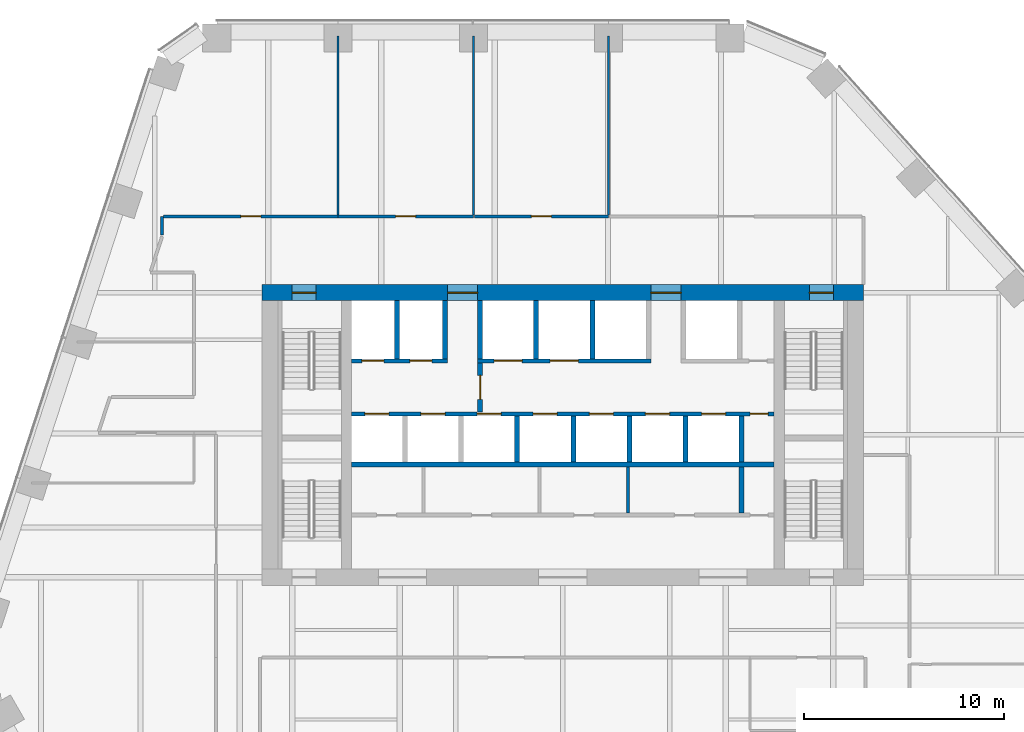
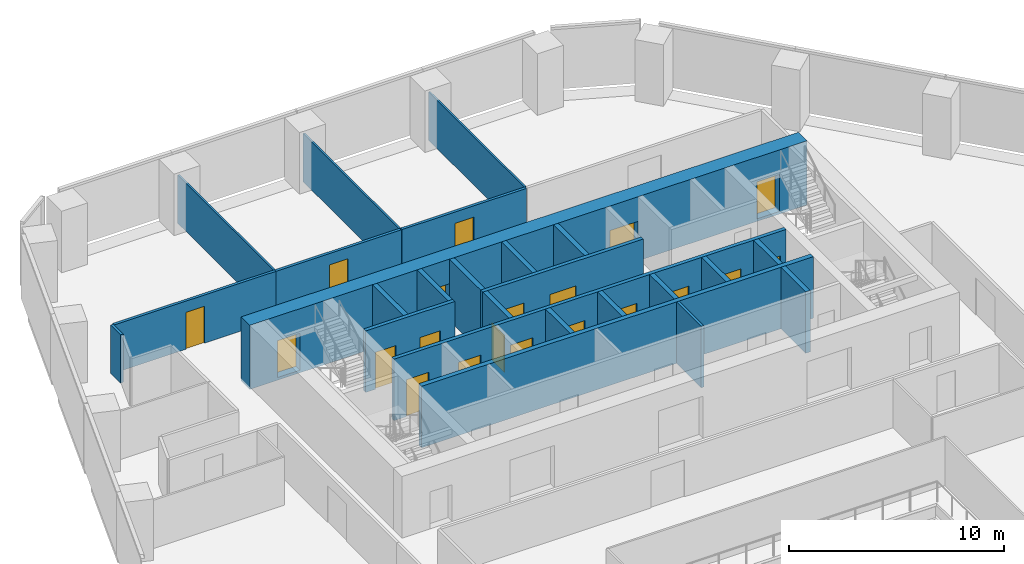
# One storey, part 12 of 16: 25 walls, 20 doors, 20 openings.
"""IFC4 building model written with IfcOpenShell, lengths in metres."""

from ifc_helpers import new_model, si_unit, direction, frame, frame_2d, origin, place, context, subcontext, project, spatial, rectangle, extrude, material, layer, layer_set, type_object, element, fill, save


model = new_model("IFC4")

# Units and contexts
model_context = context("Model", 3, precision=1e-05, world=origin(), true_north=direction((0.0, 1.0)))
body_context = subcontext(model_context, "Body", "Model", "MODEL_VIEW")
ifc_project = project(units=[si_unit("LENGTHUNIT", "METRE"), si_unit("AREAUNIT", "SQUARE_METRE"), si_unit("VOLUMEUNIT", "CUBIC_METRE"), si_unit("PLANEANGLEUNIT", "RADIAN"), si_unit("MASSUNIT", "GRAM", prefix="KILO")], contexts=[model_context])

# Site, building, storey
site_placement = place(None, origin())
site = spatial("IfcSite", under=ifc_project, at=site_placement, CompositionType="ELEMENT")
building_placement = place(site_placement, origin())
building = spatial("IfcBuilding", under=site, at=building_placement, Name="Isthmus Gate Tower", CompositionType="ELEMENT")
storey_placement = place(building_placement, frame((0.0, 0.0, 155.35009765625)))
storey = spatial("IfcBuildingStorey", under=building, at=storey_placement, Name="L38", CompositionType="ELEMENT", Elevation=155.35009765625)

# Wall, opening, door
ifc_material_1 = material(Name="Gypsum board on steel studs, fire-rated", Category="steel")
ifc_layer_1 = layer(ifc_material_1, 0.14990234375)
ifc_layer_set_1 = layer_set([ifc_layer_1], Name="CORRIDOR WALL 150 60 MIN")
wall_type_1 = type_object("IfcWallType", Name="CORRIDOR WALL 150 60 MIN", PredefinedType="PARTITIONING", material=ifc_layer_set_1)
wall_1_placement = place(storey_placement, frame((-11.2119140625, 18.39990234375, 0.0), z_axis=(0.0, 0.0, 1.0), x_axis=(1.0, 0.0, 0.0)))
wall_1 = element("IfcWall", 1, at=wall_1_placement, inside=storey, type_object=wall_type_1, Name="L38 Corridor Wall 150 60 Min", PredefinedType="PARTITIONING", context=body_context, shape_type="SweptSolid", body=[
    extrude(rectangle(XDim=6.75, YDim=0.14990234375, at=frame_2d((3.375, 0.0))), origin(), (0.0, 0.0, 1.0), 2.7412109375),
])
opening_1_placement = place(wall_1_placement, frame((2.875, 0.0, 0.0)))
opening_1 = element("IfcOpeningElement", 2, at=opening_1_placement, cuts=wall_1, Name="Opening DT-T3C-01", PredefinedType="OPENING", context=body_context, shape_type="SweptSolid", body=[
    extrude(rectangle(XDim=1.0, YDim=2.10009765625, at=frame_2d((0.5, 1.050048828125))), frame((0.0, 0.0849609375, 0.0), z_axis=(0.0, -1.0, 0.0), x_axis=(1.0, 0.0, 0.0)), (0.0, 0.0, 1.0), 0.169921875),
])
ifc_material_2 = material(Name="Solid core timber door leaf, fire-rated", Category="wood")
door_type_1 = type_object("IfcDoorType", Name="FIRE DOOR ROOM 1000 X 2100 60 MIN", OperationType="SINGLE_SWING_LEFT", PredefinedType="DOOR", material=ifc_material_2)
door_1_placement = place(opening_1_placement, origin())
door_1 = element("IfcDoor", 3, at=door_1_placement, inside=storey, type_object=door_type_1, Name="L38 room door", OperationType="SINGLE_SWING_RIGHT", OverallHeight=2.10009765625, OverallWidth=1.0, PredefinedType="DOOR", context=body_context, shape_type="SweptSolid", body=[
    extrude(rectangle(XDim=1.0, YDim=2.10009765625, at=frame_2d((0.5, 1.050048828125))), frame((0.0, 0.02490234375, 0.0), z_axis=(0.0, -1.0, 0.0), x_axis=(1.0, 0.0, 0.0)), (0.0, 0.0, 1.0), 0.050048828125),
])
fill(opening_1, door_1)

wall_2_placement = place(storey_placement, frame((-4.412109375, 18.39990234375, 0.0), z_axis=(0.0, 0.0, 1.0), x_axis=(1.0, 0.0, 0.0)))
wall_2 = element("IfcWall", 4, at=wall_2_placement, inside=storey, type_object=wall_type_1, Name="L38 Corridor Wall 150 60 Min", PredefinedType="PARTITIONING", context=body_context, shape_type="SweptSolid", body=[
    extrude(rectangle(XDim=6.7001953125, YDim=0.14990234375, at=frame_2d((3.35009765625, 0.0))), origin(), (0.0, 0.0, 1.0), 2.7412109375),
])
opening_2_placement = place(wall_2_placement, frame((2.85009765625, 0.0, 0.0)))
opening_2 = element("IfcOpeningElement", 5, at=opening_2_placement, cuts=wall_2, Name="Opening DT-T3C-02", PredefinedType="OPENING", context=body_context, shape_type="SweptSolid", body=[
    extrude(rectangle(XDim=1.0, YDim=2.10009765625, at=frame_2d((0.5, 1.050048828125))), frame((0.0, 0.0849609375, 0.0), z_axis=(0.0, -1.0, 0.0), x_axis=(1.0, 0.0, 0.0)), (0.0, 0.0, 1.0), 0.169921875),
])
door_2_placement = place(opening_2_placement, origin())
door_2 = element("IfcDoor", 6, at=door_2_placement, inside=storey, type_object=door_type_1, Name="L38 room door", OperationType="SINGLE_SWING_RIGHT", OverallHeight=2.10009765625, OverallWidth=1.0, PredefinedType="DOOR", context=body_context, shape_type="SweptSolid", body=[
    extrude(rectangle(XDim=1.0, YDim=2.10009765625, at=frame_2d((0.5, 1.050048828125))), frame((0.0, 0.02490234375, 0.0), z_axis=(0.0, -1.0, 0.0), x_axis=(1.0, 0.0, 0.0)), (0.0, 0.0, 1.0), 0.050048828125),
])
fill(opening_2, door_2)

# Wall
wall_3_placement = place(storey_placement, frame((-19.989990234375, 17.47509765625, 0.0), z_axis=(0.0, 0.0, 1.0), x_axis=(0.0, 1.0, 0.0)))
element("IfcWall", 7, at=wall_3_placement, inside=storey, type_object=wall_type_1, Name="L38 Corridor Wall 150 60 Min", PredefinedType="PARTITIONING", context=body_context, shape_type="SweptSolid", body=[
    extrude(rectangle(XDim=0.9248046875, YDim=0.14990234375, at=frame_2d((0.46240234375, 0.0))), origin(), (0.0, 0.0, 1.0), 2.7412109375),
])

# Wall, opening, door
wall_4_placement = place(storey_placement, frame((-19.9150390625, 18.39990234375, 0.0), z_axis=(0.0, 0.0, 1.0), x_axis=(1.0, 0.0, 0.0)))
wall_4 = element("IfcWall", 8, at=wall_4_placement, inside=storey, type_object=wall_type_1, Name="L38 Corridor Wall 150 60 Min", PredefinedType="PARTITIONING", context=body_context, shape_type="SweptSolid", body=[
    extrude(rectangle(XDim=8.703125, YDim=0.14990234375, at=frame_2d((4.3515625, 0.0))), origin(), (0.0, 0.0, 1.0), 2.7412109375),
])
opening_3_placement = place(wall_4_placement, frame((3.8515625, 0.0, 0.0)))
opening_3 = element("IfcOpeningElement", 9, at=opening_3_placement, cuts=wall_4, Name="Opening DT-T3C-03", PredefinedType="OPENING", context=body_context, shape_type="SweptSolid", body=[
    extrude(rectangle(XDim=1.0, YDim=2.10009765625, at=frame_2d((0.5, 1.050048828125))), frame((0.0, 0.0849609375, 0.0), z_axis=(0.0, -1.0, 0.0), x_axis=(1.0, 0.0, 0.0)), (0.0, 0.0, 1.0), 0.169921875),
])
door_3_placement = place(opening_3_placement, origin())
door_3 = element("IfcDoor", 10, at=door_3_placement, inside=storey, type_object=door_type_1, Name="L38 room door", OperationType="SINGLE_SWING_RIGHT", OverallHeight=2.10009765625, OverallWidth=1.0, PredefinedType="DOOR", context=body_context, shape_type="SweptSolid", body=[
    extrude(rectangle(XDim=1.0, YDim=2.10009765625, at=frame_2d((0.5, 1.050048828125))), frame((0.0, 0.02490234375, 0.0), z_axis=(0.0, -1.0, 0.0), x_axis=(1.0, 0.0, 0.0)), (0.0, 0.0, 1.0), 0.050048828125),
])
fill(opening_3, door_3)

ifc_material_3 = material(Name="Fire-rated blockwork masonry, 15 MPa", Category="masonry")
ifc_layer_2 = layer(ifc_material_3, 0.25)
ifc_layer_set_2 = layer_set([ifc_layer_2], Name="FIRE-FIGHTING LOBBY WALL 250 90 MIN")
wall_type_2 = type_object("IfcWallType", Name="FIRE-FIGHTING LOBBY WALL 250 90 MIN", PredefinedType="PARTITIONING", material=ifc_layer_set_2)
wall_5_placement = place(storey_placement, frame((-4.125, 8.64990234375, 0.0), z_axis=(0.0, 0.0, 1.0), x_axis=(0.0, 1.0, 0.0)))
wall_5 = element("IfcWall", 11, at=wall_5_placement, inside=storey, type_object=wall_type_2, Name="L38 FIRE-FIGHTING LOBBY WALL 250 90 MIN", PredefinedType="PARTITIONING", context=body_context, shape_type="SweptSolid", body=[
    extrude(rectangle(XDim=2.4501953125, YDim=0.25, at=frame_2d((1.22509765625, 0.0))), origin(), (0.0, 0.0, 1.0), 3.5),
])
opening_4_placement = place(wall_5_placement, frame((0.625, 0.0, 0.0)))
opening_4 = element("IfcOpeningElement", 12, at=opening_4_placement, cuts=wall_5, Name="Opening DC-A13-01", PredefinedType="OPENING", context=body_context, shape_type="SweptSolid", body=[
    extrude(rectangle(XDim=1.199951171875, YDim=2.10009765625, at=frame_2d((0.60009765625, 1.050048828125))), frame((0.0, 0.135009765625, 0.0), z_axis=(0.0, -1.0, 0.0), x_axis=(1.0, 0.0, 0.0)), (0.0, 0.0, 1.0), 0.27001953125),
])
ifc_material_4 = material(Name="Steel door leaf, fire-rated", Category="steel")
door_type_2 = type_object("IfcDoorType", Name="LOBBY FIRE DOOR 1200 X 2100 90 MIN", OperationType="DOUBLE_DOOR_SINGLE_SWING", PredefinedType="DOOR", material=ifc_material_4)
door_4_placement = place(opening_4_placement, origin())
door_4 = element("IfcDoor", 13, at=door_4_placement, inside=storey, type_object=door_type_2, Name="Fire-fighting Lobby Door", OperationType="SINGLE_SWING_LEFT", OverallHeight=2.10009765625, OverallWidth=1.199951171875, PredefinedType="DOOR", context=body_context, shape_type="SweptSolid", body=[
    extrude(rectangle(XDim=1.199951171875, YDim=2.10009765625, at=frame_2d((0.60009765625, 1.050048828125))), frame((0.0, 0.02490234375, 0.0), z_axis=(0.0, -1.0, 0.0), x_axis=(1.0, 0.0, 0.0)), (0.0, 0.0, 1.0), 0.050048828125),
])
fill(opening_4, door_4)

# Wall, openings, doors
ifc_material_5 = material(Name="Concrete f'c 60 MPa", Category="concrete")
ifc_layer_3 = layer(ifc_material_5, 0.800048828125)
ifc_layer_set_3 = layer_set([ifc_layer_3], Name="RC CORE WALL 800 F'C 60")
wall_type_3 = type_object("IfcWallType", Name="RC CORE WALL 800 F'C 60", PredefinedType="SOLIDWALL", material=ifc_layer_set_3)
wall_6_placement = place(storey_placement, frame((-15.0, 14.60009765625, -0.150146484375), z_axis=(0.0, 0.0, 1.0), x_axis=(1.0, 0.0, 0.0)))
wall_6 = element("IfcWall", 14, at=wall_6_placement, inside=storey, type_object=wall_type_3, Name="str-corewall-L38-N", PredefinedType="SOLIDWALL", context=body_context, shape_type="SweptSolid", body=[
    extrude(rectangle(XDim=30.0, YDim=0.800048828125, at=frame_2d((15.0, 0.0))), origin(), (0.0, 0.0, 1.0), 3.650146484375),
])
opening_5_placement = place(wall_6_placement, frame((9.25, 0.0, 0.14990234375)))
opening_5 = element("IfcOpeningElement", 15, at=opening_5_placement, cuts=wall_6, Name="Opening DC-A13-12", PredefinedType="OPENING", context=body_context, shape_type="SweptSolid", body=[
    extrude(rectangle(XDim=1.5, YDim=2.10009765625, at=frame_2d((0.75, 1.050048828125))), frame((0.0, 0.409912109375, 0.0), z_axis=(0.0, -1.0, 0.0), x_axis=(1.0, 0.0, 0.0)), (0.0, 0.0, 1.0), 0.820068359375),
])
opening_6_placement = place(wall_6_placement, frame((19.39990234375, 0.0, 0.14990234375)))
opening_6 = element("IfcOpeningElement", 16, at=opening_6_placement, cuts=wall_6, Name="Opening DC-A13-13", PredefinedType="OPENING", context=body_context, shape_type="SweptSolid", body=[
    extrude(rectangle(XDim=1.5, YDim=2.10009765625, at=frame_2d((0.75, 1.050048828125))), frame((0.0, 0.409912109375, 0.0), z_axis=(0.0, -1.0, 0.0), x_axis=(1.0, 0.0, 0.0)), (0.0, 0.0, 1.0), 0.820068359375),
])
opening_7_placement = place(wall_6_placement, frame((1.5, 0.0, 0.14990234375)))
opening_7 = element("IfcOpeningElement", 17, at=opening_7_placement, cuts=wall_6, Name="Opening DC-A13-14", PredefinedType="OPENING", context=body_context, shape_type="SweptSolid", body=[
    extrude(rectangle(XDim=1.199951171875, YDim=2.10009765625, at=frame_2d((0.60009765625, 1.050048828125))), frame((0.0, 0.409912109375, 0.0), z_axis=(0.0, -1.0, 0.0), x_axis=(1.0, 0.0, 0.0)), (0.0, 0.0, 1.0), 0.820068359375),
])
opening_8_placement = place(wall_6_placement, frame((27.300048828125, 0.0, 0.14990234375)))
opening_8 = element("IfcOpeningElement", 18, at=opening_8_placement, cuts=wall_6, Name="Opening DC-A13-15", PredefinedType="OPENING", context=body_context, shape_type="SweptSolid", body=[
    extrude(rectangle(XDim=1.199951171875, YDim=2.10009765625, at=frame_2d((0.60009765625, 1.050048828125))), frame((0.0, 0.409912109375, 0.0), z_axis=(0.0, -1.0, 0.0), x_axis=(1.0, 0.0, 0.0)), (0.0, 0.0, 1.0), 0.820068359375),
])
ifc_material_6 = material(Name="Steel door leaf, fire-rated", Category="steel")
door_type_3 = type_object("IfcDoorType", Name="LOBBY FIRE DOOR 1500 X 2100 60 MIN", OperationType="DOUBLE_DOOR_SINGLE_SWING", PredefinedType="DOOR", material=ifc_material_6)
door_5_placement = place(opening_6_placement, origin())
door_5 = element("IfcDoor", 19, at=door_5_placement, inside=storey, type_object=door_type_3, Name="Lobby Door PN-E", OperationType="DOUBLE_DOOR_SINGLE_SWING", OverallHeight=2.10009765625, OverallWidth=1.5, PredefinedType="DOOR", context=body_context, shape_type="SweptSolid", body=[
    extrude(rectangle(XDim=1.5, YDim=2.10009765625, at=frame_2d((0.75, 1.050048828125))), frame((0.0, 0.02490234375, 0.0), z_axis=(0.0, -1.0, 0.0), x_axis=(1.0, 0.0, 0.0)), (0.0, 0.0, 1.0), 0.050048828125),
])
fill(opening_6, door_5)
ifc_material_7 = material(Name="Steel door leaf, fire-rated", Category="steel")
door_type_4 = type_object("IfcDoorType", Name="LOBBY FIRE DOOR 1500 X 2100 90 MIN", OperationType="DOUBLE_DOOR_SINGLE_SWING", PredefinedType="DOOR", material=ifc_material_7)
door_6_placement = place(opening_5_placement, origin())
door_6 = element("IfcDoor", 20, at=door_6_placement, inside=storey, type_object=door_type_4, Name="Lobby Door PN-W", OperationType="DOUBLE_DOOR_SINGLE_SWING", OverallHeight=2.10009765625, OverallWidth=1.5, PredefinedType="DOOR", context=body_context, shape_type="SweptSolid", body=[
    extrude(rectangle(XDim=1.5, YDim=2.10009765625, at=frame_2d((0.75, 1.050048828125))), frame((0.0, 0.02490234375, 0.0), z_axis=(0.0, -1.0, 0.0), x_axis=(1.0, 0.0, 0.0)), (0.0, 0.0, 1.0), 0.050048828125),
])
fill(opening_5, door_6)
ifc_material_8 = material(Name="Steel door leaf, fire-rated", Category="steel")
door_type_5 = type_object("IfcDoorType", Name="STAIR FIRE DOOR 1200 X 2100 90 MIN", OperationType="SINGLE_SWING_LEFT", PredefinedType="DOOR", material=ifc_material_8)
door_7_placement = place(opening_7_placement, origin())
door_7 = element("IfcDoor", 21, at=door_7_placement, inside=storey, type_object=door_type_5, Name="Exit Stair 1 Door", OperationType="SINGLE_SWING_RIGHT", OverallHeight=2.10009765625, OverallWidth=1.199951171875, PredefinedType="DOOR", context=body_context, shape_type="SweptSolid", body=[
    extrude(rectangle(XDim=1.199951171875, YDim=2.10009765625, at=frame_2d((0.60009765625, 1.050048828125))), frame((0.0, 0.02490234375, 0.0), z_axis=(0.0, -1.0, 0.0), x_axis=(1.0, 0.0, 0.0)), (0.0, 0.0, 1.0), 0.050048828125),
])
fill(opening_7, door_7)
door_8_placement = place(opening_8_placement, origin())
door_8 = element("IfcDoor", 22, at=door_8_placement, inside=storey, type_object=door_type_5, Name="Exit Stair 2 Door", OperationType="SINGLE_SWING_LEFT", OverallHeight=2.10009765625, OverallWidth=1.199951171875, PredefinedType="DOOR", context=body_context, shape_type="SweptSolid", body=[
    extrude(rectangle(XDim=1.199951171875, YDim=2.10009765625, at=frame_2d((0.60009765625, 1.050048828125))), frame((0.0, 0.02490234375, 0.0), z_axis=(0.0, -1.0, 0.0), x_axis=(1.0, 0.0, 0.0)), (0.0, 0.0, 1.0), 0.050048828125),
])
fill(opening_8, door_8)

# Walls
ifc_material_9 = material(Name="Gypsum board on steel studs, fire-rated", Category="steel")
ifc_layer_4 = layer(ifc_material_9, 0.10009765625)
ifc_layer_set_4 = layer_set([ifc_layer_4], Name="ROOM PARTITION 100 30 MIN")
wall_type_4 = type_object("IfcWallType", Name="ROOM PARTITION 100 30 MIN", PredefinedType="PARTITIONING", material=ifc_layer_set_4)
for number, where, z_axis, x_axis, name in (
    (23, (-4.4619140625, 18.47509765625, 0.0), (0.0, 0.0, 1.0), (0.0, 1.0, 0.0), "L38 Room Partition 100 30 Min"),
    (24, (2.2880859375, 18.47509765625, 0.0), (0.0, 0.0, 1.0), (0.0, 1.0, 0.0), "L38 Room Partition 100 30 Min"),
    (25, (-11.2119140625, 18.47509765625, 0.0), (0.0, 0.0, 1.0), (0.0, 1.0, 0.0), "L38 Room Partition 100 30 Min"),
):
    element("IfcWall", number, at=place(storey_placement, frame(where, z_axis=z_axis, x_axis=x_axis)), inside=storey, type_object=wall_type_4, Name=name, PredefinedType="PARTITIONING", context=body_context, shape_type="SweptSolid", body=[
        extrude(rectangle(XDim=8.9248046875, YDim=0.10009765625, at=frame_2d((4.46240234375, 0.0))), origin(), (0.0, 0.0, 1.0), 2.7412109375),
    ])
ifc_material_10 = material(Name="Gypsum board on steel studs, fire-rated", Category="steel")
ifc_layer_5 = layer(ifc_material_10, 0.14990234375)
ifc_layer_set_5 = layer_set([ifc_layer_5], Name="ROOM PARTITION 150 60 MIN")
wall_type_5 = type_object("IfcWallType", Name="ROOM PARTITION 150 60 MIN", PredefinedType="PARTITIONING", material=ifc_layer_set_5)
wall_7_placement = place(storey_placement, frame((3.25, 3.60009765625, 0.0), z_axis=(0.0, 0.0, 1.0), x_axis=(0.0, 1.0, 0.0)))
element("IfcWall", 26, at=wall_7_placement, inside=storey, type_object=wall_type_5, Name="L38 ROOM PARTITION 150 60 MIN", PredefinedType="PARTITIONING", context=body_context, shape_type="SweptSolid", body=[
    extrude(rectangle(XDim=2.2998046875, YDim=0.14990234375, at=frame_2d((1.14990234375, 0.0))), origin(), (0.0, 0.0, 1.0), 3.5),
])

# Wall, openings, doors
ifc_material_11 = material(Name="Fire-rated blockwork masonry, 15 MPa", Category="masonry")
ifc_layer_6 = layer(ifc_material_11, 0.199951171875)
ifc_layer_set_6 = layer_set([ifc_layer_6], Name="SHAFT FRONT WALL 200 120 MIN")
wall_type_6 = type_object("IfcWallType", Name="SHAFT FRONT WALL 200 120 MIN", PredefinedType="PARTITIONING", material=ifc_layer_set_6)
wall_8_placement = place(storey_placement, frame((-10.550048828125, 8.550048828125, 0.0), z_axis=(0.0, 0.0, 1.0), x_axis=(1.0, 0.0, 0.0)))
wall_8 = element("IfcWall", 27, at=wall_8_placement, inside=storey, type_object=wall_type_6, Name="L38 SHAFT FRONT WALL 200 120 MIN", PredefinedType="PARTITIONING", context=body_context, shape_type="SweptSolid", body=[
    extrude(rectangle(XDim=21.10009765625, YDim=0.199951171875, at=frame_2d((10.550048828125, 0.0))), origin(), (0.0, 0.0, 1.0), 3.5),
])
opening_9_placement = place(wall_8_placement, frame((0.675048828125, 0.0, 0.0)))
opening_9 = element("IfcOpeningElement", 28, at=opening_9_placement, cuts=wall_8, Name="Opening LD-LB1", PredefinedType="OPENING", context=body_context, shape_type="SweptSolid", body=[
    extrude(rectangle(XDim=1.199951171875, YDim=2.10009765625, at=frame_2d((0.60009765625, 1.050048828125))), frame((0.0, 0.10986328125, 0.0), z_axis=(0.0, -1.0, 0.0), x_axis=(1.0, 0.0, 0.0)), (0.0, 0.0, 1.0), 0.219970703125),
])
opening_10_placement = place(wall_8_placement, frame((3.47509765625, 0.0, 0.0)))
opening_10 = element("IfcOpeningElement", 29, at=opening_10_placement, cuts=wall_8, Name="Opening LD-LB2", PredefinedType="OPENING", context=body_context, shape_type="SweptSolid", body=[
    extrude(rectangle(XDim=1.199951171875, YDim=2.10009765625, at=frame_2d((0.60009765625, 1.050048828125))), frame((0.0, 0.10986328125, 0.0), z_axis=(0.0, -1.0, 0.0), x_axis=(1.0, 0.0, 0.0)), (0.0, 0.0, 1.0), 0.219970703125),
])
opening_11_placement = place(wall_8_placement, frame((6.27490234375, 0.0, 0.0)))
opening_11 = element("IfcOpeningElement", 30, at=opening_11_placement, cuts=wall_8, Name="Opening LD-LB3", PredefinedType="OPENING", context=body_context, shape_type="SweptSolid", body=[
    extrude(rectangle(XDim=1.199951171875, YDim=2.10009765625, at=frame_2d((0.60009765625, 1.050048828125))), frame((0.0, 0.10986328125, 0.0), z_axis=(0.0, -1.0, 0.0), x_axis=(1.0, 0.0, 0.0)), (0.0, 0.0, 1.0), 0.219970703125),
])
opening_12_placement = place(wall_8_placement, frame((9.074951171875, 0.0, 0.0)))
opening_12 = element("IfcOpeningElement", 31, at=opening_12_placement, cuts=wall_8, Name="Opening LD-LB4", PredefinedType="OPENING", context=body_context, shape_type="SweptSolid", body=[
    extrude(rectangle(XDim=1.199951171875, YDim=2.10009765625, at=frame_2d((0.60009765625, 1.050048828125))), frame((0.0, 0.10986328125, 0.0), z_axis=(0.0, -1.0, 0.0), x_axis=(1.0, 0.0, 0.0)), (0.0, 0.0, 1.0), 0.219970703125),
])
opening_13_placement = place(wall_8_placement, frame((11.875, 0.0, 0.0)))
opening_13 = element("IfcOpeningElement", 32, at=opening_13_placement, cuts=wall_8, Name="Opening LD-LB5", PredefinedType="OPENING", context=body_context, shape_type="SweptSolid", body=[
    extrude(rectangle(XDim=1.199951171875, YDim=2.10009765625, at=frame_2d((0.60009765625, 1.050048828125))), frame((0.0, 0.10986328125, 0.0), z_axis=(0.0, -1.0, 0.0), x_axis=(1.0, 0.0, 0.0)), (0.0, 0.0, 1.0), 0.219970703125),
])
opening_14_placement = place(wall_8_placement, frame((14.675048828125, 0.0, 0.0)))
opening_14 = element("IfcOpeningElement", 33, at=opening_14_placement, cuts=wall_8, Name="Opening LD-LB6", PredefinedType="OPENING", context=body_context, shape_type="SweptSolid", body=[
    extrude(rectangle(XDim=1.199951171875, YDim=2.10009765625, at=frame_2d((0.60009765625, 1.050048828125))), frame((0.0, 0.10986328125, 0.0), z_axis=(0.0, -1.0, 0.0), x_axis=(1.0, 0.0, 0.0)), (0.0, 0.0, 1.0), 0.219970703125),
])
opening_15_placement = place(wall_8_placement, frame((17.47509765625, 0.0, 0.0)))
opening_15 = element("IfcOpeningElement", 34, at=opening_15_placement, cuts=wall_8, Name="Opening LD-LB7", PredefinedType="OPENING", context=body_context, shape_type="SweptSolid", body=[
    extrude(rectangle(XDim=1.199951171875, YDim=2.10009765625, at=frame_2d((0.60009765625, 1.050048828125))), frame((0.0, 0.10986328125, 0.0), z_axis=(0.0, -1.0, 0.0), x_axis=(1.0, 0.0, 0.0)), (0.0, 0.0, 1.0), 0.219970703125),
])
opening_16_placement = place(wall_8_placement, frame((19.89990234375, 0.0, 0.0)))
opening_16 = element("IfcOpeningElement", 35, at=opening_16_placement, cuts=wall_8, Name="Opening DC-A13-07", PredefinedType="OPENING", context=body_context, shape_type="SweptSolid", body=[
    extrude(rectangle(XDim=0.89990234375, YDim=2.10009765625, at=frame_2d((0.449951171875, 1.050048828125))), frame((0.0, 0.10986328125, 0.0), z_axis=(0.0, -1.0, 0.0), x_axis=(1.0, 0.0, 0.0)), (0.0, 0.0, 1.0), 0.219970703125),
])
ifc_material_12 = material(Name="Stainless steel sliding leaf", Category="steel")
door_type_6 = type_object("IfcDoorType", Name="LIFT LANDING FIRE DOOR 1200 X 2100 90 MIN", OperationType="DOUBLE_DOOR_SLIDING", PredefinedType="DOOR", material=ifc_material_12)
door_9_placement = place(opening_9_placement, origin())
door_9 = element("IfcDoor", 36, at=door_9_placement, inside=storey, type_object=door_type_6, Name="Lift Landing Door LB1", OperationType="DOUBLE_DOOR_SLIDING", OverallHeight=2.10009765625, OverallWidth=1.199951171875, PredefinedType="DOOR", context=body_context, shape_type="SweptSolid", body=[
    extrude(rectangle(XDim=1.199951171875, YDim=2.10009765625, at=frame_2d((0.60009765625, 1.050048828125))), frame((0.0, 0.02490234375, 0.0), z_axis=(0.0, -1.0, 0.0), x_axis=(1.0, 0.0, 0.0)), (0.0, 0.0, 1.0), 0.050048828125),
])
fill(opening_9, door_9)
door_10_placement = place(opening_10_placement, origin())
door_10 = element("IfcDoor", 37, at=door_10_placement, inside=storey, type_object=door_type_6, Name="Lift Landing Door LB2", OperationType="DOUBLE_DOOR_SLIDING", OverallHeight=2.10009765625, OverallWidth=1.199951171875, PredefinedType="DOOR", context=body_context, shape_type="SweptSolid", body=[
    extrude(rectangle(XDim=1.199951171875, YDim=2.10009765625, at=frame_2d((0.60009765625, 1.050048828125))), frame((0.0, 0.02490234375, 0.0), z_axis=(0.0, -1.0, 0.0), x_axis=(1.0, 0.0, 0.0)), (0.0, 0.0, 1.0), 0.050048828125),
])
fill(opening_10, door_10)
door_11_placement = place(opening_11_placement, origin())
door_11 = element("IfcDoor", 38, at=door_11_placement, inside=storey, type_object=door_type_6, Name="Lift Landing Door LB3", OperationType="DOUBLE_DOOR_SLIDING", OverallHeight=2.10009765625, OverallWidth=1.199951171875, PredefinedType="DOOR", context=body_context, shape_type="SweptSolid", body=[
    extrude(rectangle(XDim=1.199951171875, YDim=2.10009765625, at=frame_2d((0.60009765625, 1.050048828125))), frame((0.0, 0.02490234375, 0.0), z_axis=(0.0, -1.0, 0.0), x_axis=(1.0, 0.0, 0.0)), (0.0, 0.0, 1.0), 0.050048828125),
])
fill(opening_11, door_11)
door_12_placement = place(opening_12_placement, origin())
door_12 = element("IfcDoor", 39, at=door_12_placement, inside=storey, type_object=door_type_6, Name="Lift Landing Door LB4", OperationType="DOUBLE_DOOR_SLIDING", OverallHeight=2.10009765625, OverallWidth=1.199951171875, PredefinedType="DOOR", context=body_context, shape_type="SweptSolid", body=[
    extrude(rectangle(XDim=1.199951171875, YDim=2.10009765625, at=frame_2d((0.60009765625, 1.050048828125))), frame((0.0, 0.02490234375, 0.0), z_axis=(0.0, -1.0, 0.0), x_axis=(1.0, 0.0, 0.0)), (0.0, 0.0, 1.0), 0.050048828125),
])
fill(opening_12, door_12)
door_13_placement = place(opening_13_placement, origin())
door_13 = element("IfcDoor", 40, at=door_13_placement, inside=storey, type_object=door_type_6, Name="Lift Landing Door LB5", OperationType="DOUBLE_DOOR_SLIDING", OverallHeight=2.10009765625, OverallWidth=1.199951171875, PredefinedType="DOOR", context=body_context, shape_type="SweptSolid", body=[
    extrude(rectangle(XDim=1.199951171875, YDim=2.10009765625, at=frame_2d((0.60009765625, 1.050048828125))), frame((0.0, 0.02490234375, 0.0), z_axis=(0.0, -1.0, 0.0), x_axis=(1.0, 0.0, 0.0)), (0.0, 0.0, 1.0), 0.050048828125),
])
fill(opening_13, door_13)
door_14_placement = place(opening_14_placement, origin())
door_14 = element("IfcDoor", 41, at=door_14_placement, inside=storey, type_object=door_type_6, Name="Lift Landing Door LB6", OperationType="DOUBLE_DOOR_SLIDING", OverallHeight=2.10009765625, OverallWidth=1.199951171875, PredefinedType="DOOR", context=body_context, shape_type="SweptSolid", body=[
    extrude(rectangle(XDim=1.199951171875, YDim=2.10009765625, at=frame_2d((0.60009765625, 1.050048828125))), frame((0.0, 0.02490234375, 0.0), z_axis=(0.0, -1.0, 0.0), x_axis=(1.0, 0.0, 0.0)), (0.0, 0.0, 1.0), 0.050048828125),
])
fill(opening_14, door_14)
door_15_placement = place(opening_15_placement, origin())
door_15 = element("IfcDoor", 42, at=door_15_placement, inside=storey, type_object=door_type_6, Name="Lift Landing Door LB7", OperationType="DOUBLE_DOOR_SLIDING", OverallHeight=2.10009765625, OverallWidth=1.199951171875, PredefinedType="DOOR", context=body_context, shape_type="SweptSolid", body=[
    extrude(rectangle(XDim=1.199951171875, YDim=2.10009765625, at=frame_2d((0.60009765625, 1.050048828125))), frame((0.0, 0.02490234375, 0.0), z_axis=(0.0, -1.0, 0.0), x_axis=(1.0, 0.0, 0.0)), (0.0, 0.0, 1.0), 0.050048828125),
])
fill(opening_15, door_15)
ifc_material_13 = material(Name="Steel door leaf, fire-rated", Category="steel")
door_type_7 = type_object("IfcDoorType", Name="RISER FIRE DOOR 900 X 2100 90 MIN", OperationType="SINGLE_SWING_LEFT", PredefinedType="DOOR", material=ifc_material_13)
door_16_placement = place(opening_16_placement, origin())
door_16 = element("IfcDoor", 43, at=door_16_placement, inside=storey, type_object=door_type_7, Name="Riser Door", OperationType="SINGLE_SWING_RIGHT", OverallHeight=2.10009765625, OverallWidth=0.89990234375, PredefinedType="DOOR", context=body_context, shape_type="SweptSolid", body=[
    extrude(rectangle(XDim=0.89990234375, YDim=2.10009765625, at=frame_2d((0.449951171875, 1.050048828125))), frame((0.0, 0.02490234375, 0.0), z_axis=(0.0, -1.0, 0.0), x_axis=(1.0, 0.0, 0.0)), (0.0, 0.0, 1.0), 0.050048828125),
])
fill(opening_16, door_16)

wall_9_placement = place(storey_placement, frame((-10.550048828125, 11.199951171875, 0.0), z_axis=(0.0, 0.0, 1.0), x_axis=(1.0, 0.0, 0.0)))
wall_9 = element("IfcWall", 44, at=wall_9_placement, inside=storey, type_object=wall_type_6, Name="L38 SHAFT FRONT WALL 200 120 MIN", PredefinedType="PARTITIONING", context=body_context, shape_type="SweptSolid", body=[
    extrude(rectangle(XDim=4.800048828125, YDim=0.199951171875, at=frame_2d((2.39990234375, 0.0))), origin(), (0.0, 0.0, 1.0), 3.5),
])
opening_17_placement = place(wall_9_placement, frame((0.52490234375, 0.0, 0.0)))
opening_17 = element("IfcOpeningElement", 45, at=opening_17_placement, cuts=wall_9, Name="Opening LD-LF1", PredefinedType="OPENING", context=body_context, shape_type="SweptSolid", body=[
    extrude(rectangle(XDim=1.10009765625, YDim=2.10009765625, at=frame_2d((0.550048828125, 1.050048828125))), frame((0.0, 0.10986328125, 0.0), z_axis=(0.0, -1.0, 0.0), x_axis=(1.0, 0.0, 0.0)), (0.0, 0.0, 1.0), 0.219970703125),
])
opening_18_placement = place(wall_9_placement, frame((2.925048828125, 0.0, 0.0)))
opening_18 = element("IfcOpeningElement", 46, at=opening_18_placement, cuts=wall_9, Name="Opening LD-LF2", PredefinedType="OPENING", context=body_context, shape_type="SweptSolid", body=[
    extrude(rectangle(XDim=1.10009765625, YDim=2.10009765625, at=frame_2d((0.550048828125, 1.050048828125))), frame((0.0, 0.10986328125, 0.0), z_axis=(0.0, -1.0, 0.0), x_axis=(1.0, 0.0, 0.0)), (0.0, 0.0, 1.0), 0.219970703125),
])
ifc_material_14 = material(Name="Stainless steel sliding leaf", Category="steel")
door_type_8 = type_object("IfcDoorType", Name="LIFT LANDING FIRE DOOR 1100 X 2100 90 MIN", OperationType="DOUBLE_DOOR_SLIDING", PredefinedType="DOOR", material=ifc_material_14)
door_17_placement = place(opening_17_placement, origin())
door_17 = element("IfcDoor", 47, at=door_17_placement, inside=storey, type_object=door_type_8, Name="Lift Landing Door LF1", OperationType="DOUBLE_DOOR_SLIDING", OverallHeight=2.10009765625, OverallWidth=1.10009765625, PredefinedType="DOOR", context=body_context, shape_type="SweptSolid", body=[
    extrude(rectangle(XDim=1.10009765625, YDim=2.10009765625, at=frame_2d((0.550048828125, 1.050048828125))), frame((0.0, 0.02490234375, 0.0), z_axis=(0.0, -1.0, 0.0), x_axis=(1.0, 0.0, 0.0)), (0.0, 0.0, 1.0), 0.050048828125),
])
fill(opening_17, door_17)
door_18_placement = place(opening_18_placement, origin())
door_18 = element("IfcDoor", 48, at=door_18_placement, inside=storey, type_object=door_type_8, Name="Lift Landing Door LF2", OperationType="DOUBLE_DOOR_SLIDING", OverallHeight=2.10009765625, OverallWidth=1.10009765625, PredefinedType="DOOR", context=body_context, shape_type="SweptSolid", body=[
    extrude(rectangle(XDim=1.10009765625, YDim=2.10009765625, at=frame_2d((0.550048828125, 1.050048828125))), frame((0.0, 0.02490234375, 0.0), z_axis=(0.0, -1.0, 0.0), x_axis=(1.0, 0.0, 0.0)), (0.0, 0.0, 1.0), 0.050048828125),
])
fill(opening_18, door_18)

wall_10_placement = place(storey_placement, frame((-4.25, 11.199951171875, 0.0), z_axis=(0.0, 0.0, 1.0), x_axis=(1.0, 0.0, 0.0)))
wall_10 = element("IfcWall", 49, at=wall_10_placement, inside=storey, type_object=wall_type_6, Name="L38 SHAFT FRONT WALL 200 120 MIN", PredefinedType="PARTITIONING", context=body_context, shape_type="SweptSolid", body=[
    extrude(rectangle(XDim=8.64990234375, YDim=0.199951171875, at=frame_2d((4.324951171875, 0.0))), origin(), (0.0, 0.0, 1.0), 3.5),
])
opening_19_placement = place(wall_10_placement, frame((0.824951171875, 0.0, 0.0)))
opening_19 = element("IfcOpeningElement", 50, at=opening_19_placement, cuts=wall_10, Name="Opening LD-LV1", PredefinedType="OPENING", context=body_context, shape_type="SweptSolid", body=[
    extrude(rectangle(XDim=1.39990234375, YDim=2.10009765625, at=frame_2d((0.699951171875, 1.050048828125))), frame((0.0, 0.10986328125, 0.0), z_axis=(0.0, -1.0, 0.0), x_axis=(1.0, 0.0, 0.0)), (0.0, 0.0, 1.0), 0.219970703125),
])
opening_20_placement = place(wall_10_placement, frame((3.625, 0.0, 0.0)))
opening_20 = element("IfcOpeningElement", 51, at=opening_20_placement, cuts=wall_10, Name="Opening LD-LV2", PredefinedType="OPENING", context=body_context, shape_type="SweptSolid", body=[
    extrude(rectangle(XDim=1.39990234375, YDim=2.10009765625, at=frame_2d((0.699951171875, 1.050048828125))), frame((0.0, 0.10986328125, 0.0), z_axis=(0.0, -1.0, 0.0), x_axis=(1.0, 0.0, 0.0)), (0.0, 0.0, 1.0), 0.219970703125),
])
ifc_material_15 = material(Name="Stainless steel sliding leaf", Category="steel")
door_type_9 = type_object("IfcDoorType", Name="LIFT LANDING FIRE DOOR 1400 X 2100 90 MIN", OperationType="DOUBLE_DOOR_SLIDING", PredefinedType="DOOR", material=ifc_material_15)
door_19_placement = place(opening_19_placement, origin())
door_19 = element("IfcDoor", 52, at=door_19_placement, inside=storey, type_object=door_type_9, Name="Lift Landing Door LV1", OperationType="DOUBLE_DOOR_SLIDING", OverallHeight=2.10009765625, OverallWidth=1.39990234375, PredefinedType="DOOR", context=body_context, shape_type="SweptSolid", body=[
    extrude(rectangle(XDim=1.39990234375, YDim=2.10009765625, at=frame_2d((0.699951171875, 1.050048828125))), frame((0.0, 0.02490234375, 0.0), z_axis=(0.0, -1.0, 0.0), x_axis=(1.0, 0.0, 0.0)), (0.0, 0.0, 1.0), 0.050048828125),
])
fill(opening_19, door_19)
door_20_placement = place(opening_20_placement, origin())
door_20 = element("IfcDoor", 53, at=door_20_placement, inside=storey, type_object=door_type_9, Name="Lift Landing Door LV2", OperationType="DOUBLE_DOOR_SLIDING", OverallHeight=2.10009765625, OverallWidth=1.39990234375, PredefinedType="DOOR", context=body_context, shape_type="SweptSolid", body=[
    extrude(rectangle(XDim=1.39990234375, YDim=2.10009765625, at=frame_2d((0.699951171875, 1.050048828125))), frame((0.0, 0.02490234375, 0.0), z_axis=(0.0, -1.0, 0.0), x_axis=(1.0, 0.0, 0.0)), (0.0, 0.0, 1.0), 0.050048828125),
])
fill(opening_20, door_20)

# Walls
ifc_material_16 = material(Name="Fire-rated blockwork masonry, 15 MPa", Category="masonry")
ifc_layer_7 = layer(ifc_material_16, 0.25)
ifc_layer_set_7 = layer_set([ifc_layer_7], Name="SHAFT WALL 250 120 MIN")
wall_type_7 = type_object("IfcWallType", Name="SHAFT WALL 250 120 MIN", PredefinedType="PARTITIONING", material=ifc_layer_set_7)
wall_11_placement = place(storey_placement, frame((-10.550048828125, 6.02490234375, 0.0), z_axis=(0.0, 0.0, 1.0), x_axis=(1.0, 0.0, 0.0)))
element("IfcWall", 54, at=wall_11_placement, inside=storey, type_object=wall_type_7, Name="L38 SHAFT WALL 250 120 MIN", PredefinedType="PARTITIONING", context=body_context, shape_type="SweptSolid", body=[
    extrude(rectangle(XDim=21.10009765625, YDim=0.25, at=frame_2d((10.550048828125, 0.0))), origin(), (0.0, 0.0, 1.0), 3.5),
])
wall_12_placement = place(storey_placement, frame((8.925048828125, 3.60009765625, 0.0), z_axis=(0.0, 0.0, 1.0), x_axis=(0.0, 1.0, 0.0)))
element("IfcWall", 55, at=wall_12_placement, inside=storey, type_object=wall_type_7, Name="L38 SHAFT WALL 250 120 MIN", PredefinedType="PARTITIONING", context=body_context, shape_type="SweptSolid", body=[
    extrude(rectangle(XDim=2.2998046875, YDim=0.25, at=frame_2d((1.14990234375, 0.0))), origin(), (0.0, 0.0, 1.0), 3.5),
])
for number, where, z_axis, x_axis, name in (
    (56, (-2.27490234375, 6.14990234375, 0.0), (0.0, 0.0, 1.0), (0.0, 1.0, 0.0), "L38 SHAFT WALL 250 120 MIN"),
    (57, (0.52490234375, 6.14990234375, 0.0), (0.0, 0.0, 1.0), (0.0, 1.0, 0.0), "L38 SHAFT WALL 250 120 MIN"),
    (58, (3.324951171875, 6.14990234375, 0.0), (0.0, 0.0, 1.0), (0.0, 1.0, 0.0), "L38 SHAFT WALL 250 120 MIN"),
    (59, (6.125, 6.14990234375, 0.0), (0.0, 0.0, 1.0), (0.0, 1.0, 0.0), "L38 SHAFT WALL 250 120 MIN"),
    (60, (8.925048828125, 6.14990234375, 0.0), (0.0, 0.0, 1.0), (0.0, 1.0, 0.0), "L38 SHAFT WALL 250 120 MIN"),
):
    element("IfcWall", number, at=place(storey_placement, frame(where, z_axis=z_axis, x_axis=x_axis)), inside=storey, type_object=wall_type_7, Name=name, PredefinedType="PARTITIONING", context=body_context, shape_type="SweptSolid", body=[
        extrude(rectangle(XDim=2.300048828125, YDim=0.25, at=frame_2d((1.14990234375, 0.0))), origin(), (0.0, 0.0, 1.0), 3.5),
    ])
for number, where, z_axis, x_axis, name in (
    (61, (-8.27490234375, 11.300048828125, 0.0), (0.0, 0.0, 1.0), (0.0, 1.0, 0.0), "L38 SHAFT WALL 250 120 MIN"),
    (62, (-5.875, 11.300048828125, 0.0), (0.0, 0.0, 1.0), (0.0, 1.0, 0.0), "L38 SHAFT WALL 250 120 MIN"),
    (63, (-4.125, 11.300048828125, 0.0), (0.0, 0.0, 1.0), (0.0, 1.0, 0.0), "L38 SHAFT WALL 250 120 MIN"),
    (64, (-1.324951171875, 11.300048828125, 0.0), (0.0, 0.0, 1.0), (0.0, 1.0, 0.0), "L38 SHAFT WALL 250 120 MIN"),
    (65, (1.47509765625, 11.300048828125, 0.0), (0.0, 0.0, 1.0), (0.0, 1.0, 0.0), "L38 SHAFT WALL 250 120 MIN"),
):
    element("IfcWall", number, at=place(storey_placement, frame(where, z_axis=z_axis, x_axis=x_axis)), inside=storey, type_object=wall_type_7, Name=name, PredefinedType="PARTITIONING", context=body_context, shape_type="SweptSolid", body=[
        extrude(rectangle(XDim=2.89990234375, YDim=0.25, at=frame_2d((1.449951171875, 0.0))), origin(), (0.0, 0.0, 1.0), 3.5),
    ])

save(model, "model.ifc")
